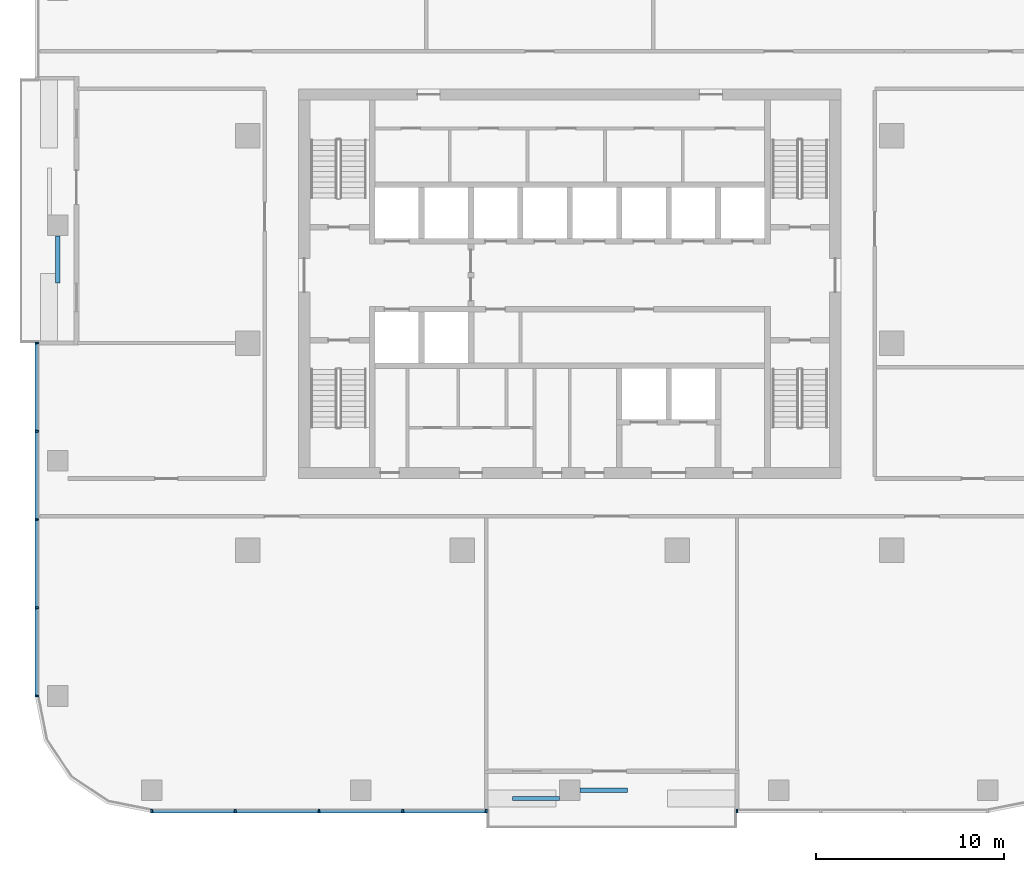
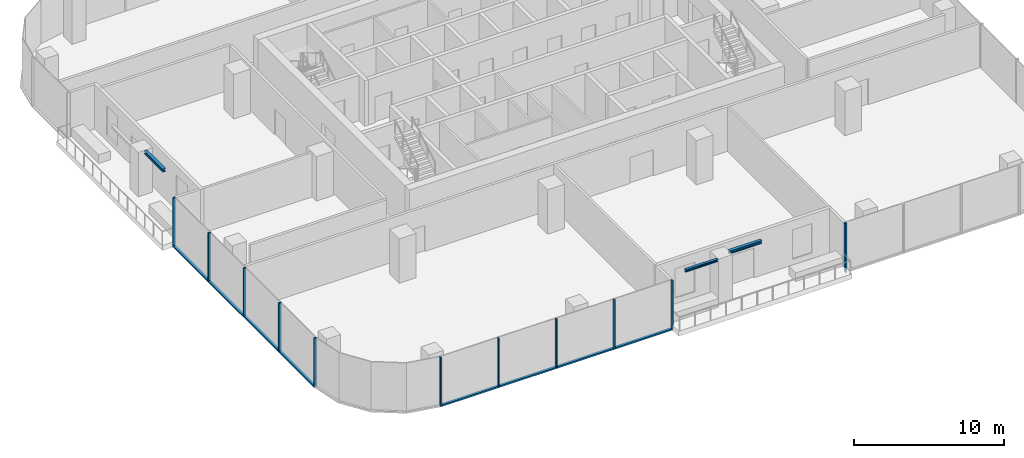
# One storey, part 2 of 14: 19 members, 3 beams, 3 elements without a shape of their own.
"""IFC4 building model written with IfcOpenShell, lengths in metres."""

from ifc_helpers import new_model, si_unit, direction, frame, origin, origin_2d, place, context, subcontext, project, spatial, rectangle, i_section, extrude, material, material_profile, profile_set, type_object, element, aggregate, save


model = new_model("IFC4")

# Units and contexts
model_context = context("Model", 3, precision=1e-05, world=origin(), true_north=direction((0.0, 1.0)))
body_context = subcontext(model_context, "Body", "Model", "MODEL_VIEW")
ifc_project = project(units=[si_unit("LENGTHUNIT", "METRE"), si_unit("AREAUNIT", "SQUARE_METRE"), si_unit("VOLUMEUNIT", "CUBIC_METRE"), si_unit("PLANEANGLEUNIT", "RADIAN"), si_unit("MASSUNIT", "GRAM", prefix="KILO")], contexts=[model_context])

# Site, building, storey
site_placement = place(None, origin())
site = spatial("IfcSite", under=ifc_project, at=site_placement, CompositionType="ELEMENT")
building_placement = place(site_placement, origin())
building = spatial("IfcBuilding", under=site, at=building_placement, Name="Mopane Tessera Tower", CompositionType="ELEMENT")
storey_placement = place(building_placement, frame((0.0, 0.0, 239.0)))
storey = spatial("IfcBuildingStorey", under=building, at=storey_placement, Name="L51", CompositionType="ELEMENT", Elevation=239.0)

# Curtain wall, members
ifc_material_1 = material(Name="Aluminium frame", Category="aluminium")
curtain_wall_type = type_object("IfcCurtainWallType", Name="Unitised curtain wall", PredefinedType="NOTDEFINED", material=ifc_material_1)
curtain_wall_1_placement = place(storey_placement, origin())
curtain_wall_1 = element("IfcCurtainWall", 1, at=curtain_wall_1_placement, inside=storey, type_object=curtain_wall_type, Name="e:cw:L51:S:0", PredefinedType="NOTDEFINED")
ifc_material_2 = material(Name="Aluminium frame", Category="aluminium")
ifc_material_profile_1 = material_profile(ifc_material_2, rectangle(XDim=0.10009765625, YDim=0.199951171875, at=origin_2d()))
ifc_profile_set_1 = profile_set([ifc_material_profile_1], Name="Aluminium frame")
member_type_1 = type_object("IfcMemberType", Name="Aluminium mullion 100 x 200", PredefinedType="MULLION", material=ifc_profile_set_1)
member_1_placement = place(storey_placement, frame((-22.199951171875, -24.85009765625, -0.39990234375), z_axis=(0.0, 0.0, 1.0), x_axis=(1.0, 0.0, 0.0)))
member_1 = element("IfcMember", 2, at=member_1_placement, type_object=member_type_1, Name="e:cw:L51:S:0:mu0", PredefinedType="MULLION", context=body_context, shape_type="SweptSolid", body=[
    extrude(rectangle(XDim=0.10009765625, YDim=0.199951171875, at=origin_2d()), origin(), (0.0, 0.0, 1.0), 4.0),
])
member_2_placement = place(storey_placement, frame((-17.760009765625, -24.85009765625, -0.39990234375), z_axis=(0.0, 0.0, 1.0), x_axis=(1.0, 0.0, 0.0)))
member_2 = element("IfcMember", 3, at=member_2_placement, type_object=member_type_1, Name="e:cw:L51:S:0:mu1", PredefinedType="MULLION", context=body_context, shape_type="SweptSolid", body=[
    extrude(rectangle(XDim=0.10009765625, YDim=0.199951171875, at=origin_2d()), origin(), (0.0, 0.0, 1.0), 4.0),
])
member_3_placement = place(storey_placement, frame((-13.320068359375, -24.85009765625, -0.39990234375), z_axis=(0.0, 0.0, 1.0), x_axis=(1.0, 0.0, 0.0)))
member_3 = element("IfcMember", 4, at=member_3_placement, type_object=member_type_1, Name="e:cw:L51:S:0:mu2", PredefinedType="MULLION", context=body_context, shape_type="SweptSolid", body=[
    extrude(rectangle(XDim=0.10009765625, YDim=0.199951171875, at=origin_2d()), origin(), (0.0, 0.0, 1.0), 4.0),
])
member_4_placement = place(storey_placement, frame((-8.8798828125, -24.85009765625, -0.39990234375), z_axis=(0.0, 0.0, 1.0), x_axis=(1.0, 0.0, 0.0)))
member_4 = element("IfcMember", 5, at=member_4_placement, type_object=member_type_1, Name="e:cw:L51:S:0:mu3", PredefinedType="MULLION", context=body_context, shape_type="SweptSolid", body=[
    extrude(rectangle(XDim=0.10009765625, YDim=0.199951171875, at=origin_2d()), origin(), (0.0, 0.0, 1.0), 4.0),
])
member_5_placement = place(storey_placement, frame((-4.43994140625, -24.85009765625, -0.39990234375), z_axis=(0.0, 0.0, 1.0), x_axis=(1.0, 0.0, 0.0)))
member_5 = element("IfcMember", 6, at=member_5_placement, type_object=member_type_1, Name="e:cw:L51:S:0:mu4", PredefinedType="MULLION", context=body_context, shape_type="SweptSolid", body=[
    extrude(rectangle(XDim=0.10009765625, YDim=0.199951171875, at=origin_2d()), origin(), (0.0, 0.0, 1.0), 4.0),
])

# Curtain wall, member
curtain_wall_2_placement = place(storey_placement, origin())
curtain_wall_2 = element("IfcCurtainWall", 7, at=curtain_wall_2_placement, inside=storey, type_object=curtain_wall_type, Name="e:cw:L51:S:7", PredefinedType="NOTDEFINED")
member_6_placement = place(storey_placement, frame((8.8798828125, -24.85009765625, -0.39990234375), z_axis=(0.0, 0.0, 1.0), x_axis=(1.0, 0.0, 0.0)))
member_6 = element("IfcMember", 8, at=member_6_placement, type_object=member_type_1, Name="e:cw:L51:S:7:mu7", PredefinedType="MULLION", context=body_context, shape_type="SweptSolid", body=[
    extrude(rectangle(XDim=0.10009765625, YDim=0.199951171875, at=origin_2d()), origin(), (0.0, 0.0, 1.0), 4.0),
])
aggregate(curtain_wall_2, [member_6])

# Curtain wall, members
curtain_wall_3_placement = place(storey_placement, origin())
curtain_wall_3 = element("IfcCurtainWall", 9, at=curtain_wall_3_placement, inside=storey, type_object=curtain_wall_type, Name="e:cw:L51:W:4", PredefinedType="NOTDEFINED")
member_7_placement = place(storey_placement, frame((-28.300048828125, 0.0, -0.39990234375), z_axis=(0.0, 0.0, 1.0), x_axis=(0.0, -1.0, 0.0)))
member_7 = element("IfcMember", 10, at=member_7_placement, type_object=member_type_1, Name="e:cw:L51:W:4:mu4", PredefinedType="MULLION", context=body_context, shape_type="SweptSolid", body=[
    extrude(rectangle(XDim=0.10009765625, YDim=0.199951171875, at=origin_2d()), origin(), (0.0, 0.0, 1.0), 4.0),
])
member_8_placement = place(storey_placement, frame((-28.300048828125, -4.6875, -0.39990234375), z_axis=(0.0, 0.0, 1.0), x_axis=(0.0, -1.0, 0.0)))
member_8 = element("IfcMember", 11, at=member_8_placement, type_object=member_type_1, Name="e:cw:L51:W:4:mu5", PredefinedType="MULLION", context=body_context, shape_type="SweptSolid", body=[
    extrude(rectangle(XDim=0.10009765625, YDim=0.199951171875, at=origin_2d()), origin(), (0.0, 0.0, 1.0), 4.0),
])
member_9_placement = place(storey_placement, frame((-28.300048828125, -9.375, -0.39990234375), z_axis=(0.0, 0.0, 1.0), x_axis=(0.0, -1.0, 0.0)))
member_9 = element("IfcMember", 12, at=member_9_placement, type_object=member_type_1, Name="e:cw:L51:W:4:mu6", PredefinedType="MULLION", context=body_context, shape_type="SweptSolid", body=[
    extrude(rectangle(XDim=0.10009765625, YDim=0.199951171875, at=origin_2d()), origin(), (0.0, 0.0, 1.0), 4.0),
])
member_10_placement = place(storey_placement, frame((-28.300048828125, -14.0625, -0.39990234375), z_axis=(0.0, 0.0, 1.0), x_axis=(0.0, -1.0, 0.0)))
member_10 = element("IfcMember", 13, at=member_10_placement, type_object=member_type_1, Name="e:cw:L51:W:4:mu7", PredefinedType="MULLION", context=body_context, shape_type="SweptSolid", body=[
    extrude(rectangle(XDim=0.10009765625, YDim=0.199951171875, at=origin_2d()), origin(), (0.0, 0.0, 1.0), 4.0),
])
member_11_placement = place(storey_placement, frame((-28.300048828125, -18.75, -0.39990234375), z_axis=(0.0, 0.0, 1.0), x_axis=(0.0, -1.0, 0.0)))
member_11 = element("IfcMember", 14, at=member_11_placement, type_object=member_type_1, Name="e:cw:L51:W:4:mu8", PredefinedType="MULLION", context=body_context, shape_type="SweptSolid", body=[
    extrude(rectangle(XDim=0.10009765625, YDim=0.199951171875, at=origin_2d()), origin(), (0.0, 0.0, 1.0), 4.0),
])

# Member
ifc_material_3 = material(Name="Aluminium frame", Category="aluminium")
ifc_material_profile_2 = material_profile(ifc_material_3, rectangle(XDim=0.199951171875, YDim=0.1201171875, at=origin_2d()))
ifc_profile_set_2 = profile_set([ifc_material_profile_2], Name="Aluminium frame")
member_type_2 = type_object("IfcMemberType", Name="Aluminium transom 200 x 120", PredefinedType="USERDEFINED", material=ifc_profile_set_2)
member_12_placement = place(storey_placement, frame((-22.14990234375, -24.85009765625, -0.340087890625), z_axis=(1.0, 0.0, 0.0), x_axis=(0.0, 1.0, 0.0)))
member_12 = element("IfcMember", 15, at=member_12_placement, type_object=member_type_2, Name="e:cw:L51:S:0:tr0", ObjectType="TRANSOM", PredefinedType="USERDEFINED", context=body_context, shape_type="SweptSolid", body=[
    extrude(rectangle(XDim=0.199951171875, YDim=0.1201171875, at=origin_2d()), origin(), (0.0, 0.0, 1.0), 4.33984375),
])

member_13_placement = place(storey_placement, frame((-17.7099609375, -24.85009765625, -0.340087890625), z_axis=(1.0, 0.0, 0.0), x_axis=(0.0, 1.0, 0.0)))
member_13 = element("IfcMember", 16, at=member_13_placement, type_object=member_type_2, Name="e:cw:L51:S:0:tr1", ObjectType="TRANSOM", PredefinedType="USERDEFINED", context=body_context, shape_type="SweptSolid", body=[
    extrude(rectangle(XDim=0.199951171875, YDim=0.1201171875, at=origin_2d()), origin(), (0.0, 0.0, 1.0), 4.33984375),
])

member_14_placement = place(storey_placement, frame((-13.27001953125, -24.85009765625, -0.340087890625), z_axis=(1.0, 0.0, 0.0), x_axis=(0.0, 1.0, 0.0)))
member_14 = element("IfcMember", 17, at=member_14_placement, type_object=member_type_2, Name="e:cw:L51:S:0:tr2", ObjectType="TRANSOM", PredefinedType="USERDEFINED", context=body_context, shape_type="SweptSolid", body=[
    extrude(rectangle(XDim=0.199951171875, YDim=0.1201171875, at=origin_2d()), origin(), (0.0, 0.0, 1.0), 4.340087890625),
])

member_15_placement = place(storey_placement, frame((-8.830078125, -24.85009765625, -0.340087890625), z_axis=(1.0, 0.0, 0.0), x_axis=(0.0, 1.0, 0.0)))
member_15 = element("IfcMember", 18, at=member_15_placement, type_object=member_type_2, Name="e:cw:L51:S:0:tr3", ObjectType="TRANSOM", PredefinedType="USERDEFINED", context=body_context, shape_type="SweptSolid", body=[
    extrude(rectangle(XDim=0.199951171875, YDim=0.1201171875, at=origin_2d()), origin(), (0.0, 0.0, 1.0), 4.340087890625),
])

aggregate(curtain_wall_1, [member_1, member_2, member_3, member_4, member_5, member_12, member_13, member_14, member_15])

member_16_placement = place(storey_placement, frame((-28.300048828125, -0.050048828125, -0.340087890625), z_axis=(0.0, -1.0, 0.0), x_axis=(1.0, 0.0, 0.0)))
member_16 = element("IfcMember", 19, at=member_16_placement, type_object=member_type_2, Name="e:cw:L51:W:4:tr4", ObjectType="TRANSOM", PredefinedType="USERDEFINED", context=body_context, shape_type="SweptSolid", body=[
    extrude(rectangle(XDim=0.199951171875, YDim=0.1201171875, at=origin_2d()), origin(), (0.0, 0.0, 1.0), 4.58740234375),
])

member_17_placement = place(storey_placement, frame((-28.300048828125, -4.737548828125, -0.340087890625), z_axis=(0.0, -1.0, 0.0), x_axis=(1.0, 0.0, 0.0)))
member_17 = element("IfcMember", 20, at=member_17_placement, type_object=member_type_2, Name="e:cw:L51:W:4:tr5", ObjectType="TRANSOM", PredefinedType="USERDEFINED", context=body_context, shape_type="SweptSolid", body=[
    extrude(rectangle(XDim=0.199951171875, YDim=0.1201171875, at=origin_2d()), origin(), (0.0, 0.0, 1.0), 4.58740234375),
])

member_18_placement = place(storey_placement, frame((-28.300048828125, -9.425048828125, -0.340087890625), z_axis=(0.0, -1.0, 0.0), x_axis=(1.0, 0.0, 0.0)))
member_18 = element("IfcMember", 21, at=member_18_placement, type_object=member_type_2, Name="e:cw:L51:W:4:tr6", ObjectType="TRANSOM", PredefinedType="USERDEFINED", context=body_context, shape_type="SweptSolid", body=[
    extrude(rectangle(XDim=0.199951171875, YDim=0.1201171875, at=origin_2d()), origin(), (0.0, 0.0, 1.0), 4.58740234375),
])

member_19_placement = place(storey_placement, frame((-28.300048828125, -14.112548828125, -0.340087890625), z_axis=(0.0, -1.0, 0.0), x_axis=(1.0, 0.0, 0.0)))
member_19 = element("IfcMember", 22, at=member_19_placement, type_object=member_type_2, Name="e:cw:L51:W:4:tr7", ObjectType="TRANSOM", PredefinedType="USERDEFINED", context=body_context, shape_type="SweptSolid", body=[
    extrude(rectangle(XDim=0.199951171875, YDim=0.1201171875, at=origin_2d()), origin(), (0.0, 0.0, 1.0), 4.58740234375),
])

aggregate(curtain_wall_3, [member_7, member_8, member_9, member_10, member_11, member_16, member_17, member_18, member_19])

# Beams
ifc_material_4 = material(Name="Structural steel S460", Category="steel")
ifc_material_profile_3 = material_profile(ifc_material_4, i_section(OverallWidth=0.239990234375, OverallDepth=0.239990234375, WebThickness=0.010009765625, FlangeThickness=0.01708984375, FilletRadius=0.02099609375, at=origin_2d()))
ifc_profile_set_3 = profile_set([ifc_material_profile_3], Name="Structural steel S460")
beam_type_1 = type_object("IfcBeamType", Name="Terrace spandrel beam HE 240 B", PredefinedType="SPANDREL", material=ifc_profile_set_3)
for number, where, z_axis, x_axis, name in (
    (23, (0.552978515625, -23.75, 3.47998046875), (1.0, 0.0, 0.0), (0.0, 1.0, 0.0), "Terrace spandrel beam N1 L52"),
    (24, (-27.199951171875, 5.697021484375, 3.47998046875), (0.0, -1.0, 0.0), (1.0, 0.0, 0.0), "Terrace spandrel beam N3 L52"),
):
    element("IfcBeam", number, at=place(storey_placement, frame(where, z_axis=z_axis, x_axis=x_axis)), inside=storey, type_object=beam_type_1, Name=name, PredefinedType="SPANDREL", context=body_context, shape_type="SweptSolid", body=[
        extrude(i_section(OverallWidth=0.239990234375, OverallDepth=0.239990234375, WebThickness=0.010009765625, FlangeThickness=0.01708984375, FilletRadius=0.02099609375, at=origin_2d()), origin(), (0.0, 0.0, 1.0), 2.5),
    ])
ifc_material_5 = material(Name="Structural steel S460", Category="steel")
ifc_material_profile_4 = material_profile(ifc_material_5, i_section(OverallWidth=0.199951171875, OverallDepth=0.199951171875, WebThickness=0.009033203125, FlangeThickness=0.014892578125, FilletRadius=0.01806640625, at=origin_2d()))
ifc_profile_set_4 = profile_set([ifc_material_profile_4], Name="Structural steel S460")
beam_type_2 = type_object("IfcBeamType", Name="Terrace trimmer beam HE 200 B", PredefinedType="BEAM", material=ifc_profile_set_4)
beam_placement = place(storey_placement, frame((-0.552978515625, -24.18994140625, 3.5), z_axis=(-1.0, 0.0, 0.0), x_axis=(0.0, -1.0, 0.0)))
element("IfcBeam", 25, at=beam_placement, inside=storey, type_object=beam_type_2, Name="Terrace trimmer beam N1 L52", PredefinedType="BEAM", context=body_context, shape_type="SweptSolid", body=[
    extrude(i_section(OverallWidth=0.199951171875, OverallDepth=0.199951171875, WebThickness=0.009033203125, FlangeThickness=0.014892578125, FilletRadius=0.01806640625, at=origin_2d()), origin(), (0.0, 0.0, 1.0), 2.5),
])

save(model, "model.ifc")
